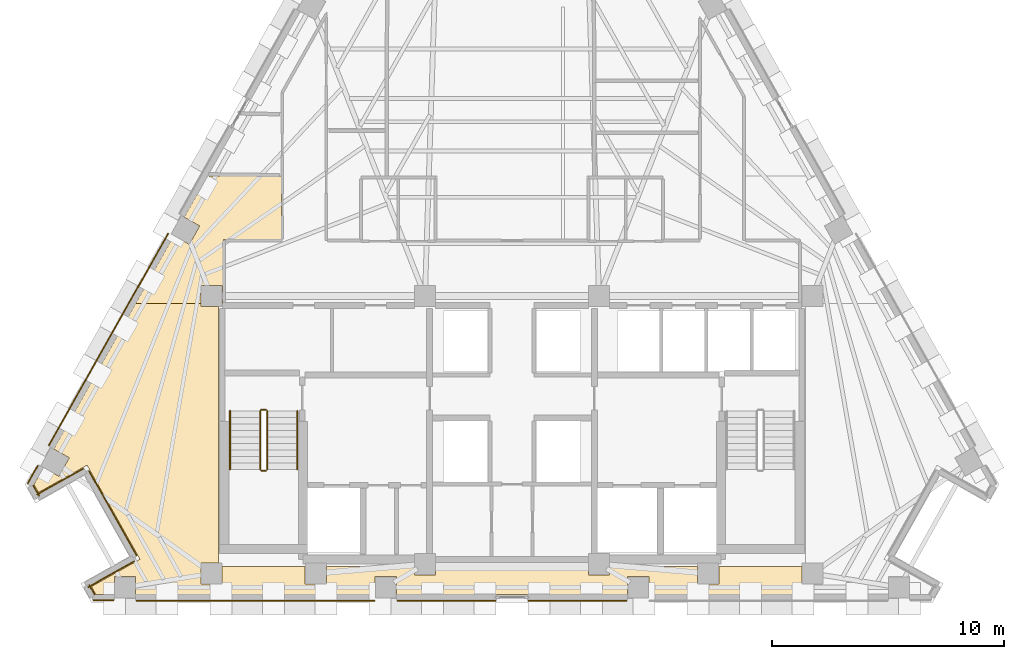
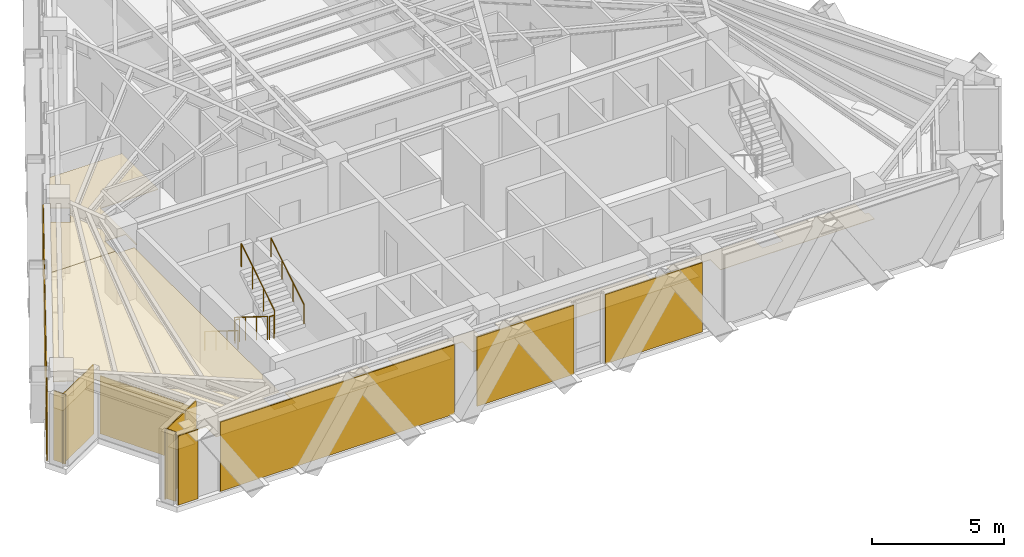
# One storey, part 10 of 12: 14 coverings, 6 railings.
"""IFC4 building model written with IfcOpenShell, lengths in metres."""

from ifc_helpers import new_model, si_unit, direction, frame, origin, origin_2d, place, context, subcontext, project, spatial, polyline, circle, outline, extrude, material, layer, layer_set, type_object, element, save


model = new_model("IFC4")

# Units and contexts
model_context = context("Model", 3, precision=1e-05, world=origin(), true_north=direction((0.0, 1.0)))
body_context = subcontext(model_context, "Body", "Model", "MODEL_VIEW")
ifc_project = project(units=[si_unit("LENGTHUNIT", "METRE"), si_unit("AREAUNIT", "SQUARE_METRE"), si_unit("VOLUMEUNIT", "CUBIC_METRE"), si_unit("PLANEANGLEUNIT", "RADIAN"), si_unit("MASSUNIT", "GRAM", prefix="KILO")], contexts=[model_context])

# Site, building, storey
site_placement = place(None, origin())
site = spatial("IfcSite", under=ifc_project, at=site_placement, CompositionType="ELEMENT")
building_placement = place(site_placement, origin())
building = spatial("IfcBuilding", under=site, at=building_placement, Name="Quenlor Broadcast Tower", CompositionType="ELEMENT")
storey_placement = place(building_placement, frame((0.0, 0.0, 186.89990234375)))
storey = spatial("IfcBuildingStorey", under=building, at=storey_placement, Name="L51", CompositionType="ELEMENT", Elevation=186.89990234375)

# Coverings
ifc_material_1 = material(Name="Acoustic Mineral Fibre Board", Category="other")
ifc_layer_1 = layer(ifc_material_1, 0.02490234375)
ifc_layer_set_1 = layer_set([ifc_layer_1], Name="Acoustic Perforated Mineral Tile Ceiling 25")
covering_type_1 = type_object("IfcCoveringType", Name="Acoustic Perforated Mineral Tile Ceiling 25", PredefinedType="CEILING", material=ifc_layer_set_1)
covering_1_placement = place(storey_placement, frame((0.0, 0.0, 2.375)))
element("IfcCovering", 1, at=covering_1_placement, inside=storey, type_object=covering_type_1, Name="L51 Acoustic Ceiling L51-38", PredefinedType="CEILING", context=body_context, shape_type="SweptSolid", body=[
    extrude(outline(polyline([(-14.572021484375, -2.199462890625), (-13.90283203125, -2.575927734375), (-13.45361328125, -1.777587890625), (-14.123046875, -1.401123046875), (-13.129638671875, 0.36474609375), (-9.929931640625, 0.36474609375), (-9.929931640625, -2.3701171875), (-12.43994140625, -2.3701171875), (-12.43994140625, -5.1201171875), (-12.491943359375, -5.1201171875), (-12.491943359375, -4.342041015625), (-13.407958984375, -4.342041015625), (-13.407958984375, -5.1201171875), (-16.21484375, -5.1201171875), (-14.572021484375, -2.199462890625)])), origin(), (0.0, 0.0, 1.0), 0.025146484375),
])
covering_2_placement = place(storey_placement, frame((0.0, 0.0, 2.375)))
element("IfcCovering", 2, at=covering_2_placement, inside=storey, type_object=covering_type_1, Name="L51 Acoustic Ceiling L51-38-3", PredefinedType="CEILING", context=body_context, shape_type="SweptSolid", body=[
    extrude(outline(polyline([(-20.597900390625, -12.912109375), (-20.191162109375, -12.18896484375), (-19.52197265625, -12.5654296875), (-19.07275390625, -11.76708984375), (-19.7421875, -11.390625), (-16.21484375, -5.1201171875), (-13.407958984375, -5.1201171875), (-13.407958984375, -5.258056640625), (-12.64990234375, -5.258056640625), (-12.64990234375, -16.2919921875), (-13.407958984375, -16.2919921875), (-13.407958984375, -17.2080078125), (-12.64990234375, -17.2080078125), (-12.64990234375, -17.659912109375), (-16.218017578125, -17.659912109375), (-16.218017578125, -16.89208984375), (-17.1337890625, -16.89208984375), (-17.1337890625, -17.659912109375), (-17.927001953125, -17.659912109375), (-18.120849609375, -17.315673828125), (-16.029052734375, -16.138916015625), (-18.30859375, -12.08642578125), (-20.400390625, -13.26318359375), (-20.597900390625, -12.912109375)])), origin(), (0.0, 0.0, 1.0), 0.025146484375),
])
covering_3_placement = place(storey_placement, frame((0.0, 0.0, 2.375)))
element("IfcCovering", 3, at=covering_3_placement, inside=storey, type_object=covering_type_1, Name="L51 Acoustic Ceiling L51-38-5", PredefinedType="CEILING", context=body_context, shape_type="SweptSolid", body=[
    extrude(outline(polyline([(-12.491943359375, -17.2080078125), (-12.491943359375, -16.449951171875), (-8.907958984375, -16.449951171875), (-8.907958984375, -17.2080078125), (-7.991943359375, -17.2080078125), (-7.991943359375, -16.449951171875), (-4.2080078125, -16.449951171875), (-4.2080078125, -16.80810546875), (-3.2919921875, -16.80810546875), (-3.2919921875, -16.449951171875), (3.2919921875, -16.449951171875), (3.2919921875, -16.80810546875), (4.2080078125, -16.80810546875), (4.2080078125, -16.449951171875), (7.991943359375, -16.449951171875), (7.991943359375, -17.2080078125), (8.907958984375, -17.2080078125), (8.907958984375, -16.449951171875), (12.491943359375, -16.449951171875), (12.491943359375, -17.2080078125), (12.64990234375, -17.2080078125), (12.64990234375, -17.659912109375), (5.895751953125, -17.659912109375), (5.895751953125, -16.89208984375), (4.979736328125, -16.89208984375), (4.979736328125, -17.659912109375), (-4.979736328125, -17.659912109375), (-4.979736328125, -16.89208984375), (-5.895751953125, -16.89208984375), (-5.895751953125, -17.659912109375), (-12.64990234375, -17.659912109375), (-12.64990234375, -17.2080078125), (-12.491943359375, -17.2080078125)])), origin(), (0.0, 0.0, 1.0), 0.025146484375),
])
ifc_material_2 = material(Name="Architectural Terracotta Ceramic", Category="masonry")
ifc_layer_2 = layer(ifc_material_2, 0.044921875)
ifc_layer_set_2 = layer_set([ifc_layer_2], Name="Fluted Terracotta Rainscreen Cladding Panel")
covering_type_2 = type_object("IfcCoveringType", Name="Fluted Terracotta Rainscreen Cladding Panel", PredefinedType="CLADDING", material=ifc_layer_set_2)
covering_4_placement = place(storey_placement, frame((0.0, 0.0, 0.02001953125)))
element("IfcCovering", 4, at=covering_4_placement, inside=storey, type_object=covering_type_2, Name="L51 Terracotta Rainscreen Cladding L51-SHD-SS1", PredefinedType="CLADDING", context=body_context, shape_type="SweptSolid", body=[
    extrude(outline(polyline([(-17.160888671875, -17.886962890625), (-18.035888671875, -17.886962890625), (-18.035888671875, -17.931884765625), (-17.160888671875, -17.931884765625), (-17.160888671875, -17.886962890625)])), origin(), (0.0, 0.0, 1.0), 3.2099609375),
])
covering_5_placement = place(storey_placement, frame((0.0, 0.0, 0.02001953125)))
element("IfcCovering", 5, at=covering_5_placement, inside=storey, type_object=covering_type_2, Name="L51 Terracotta Rainscreen Cladding L51-EW-SC", PredefinedType="CLADDING", context=body_context, shape_type="SweptSolid", body=[
    extrude(outline(polyline([(-5.9228515625, -17.89697265625), (-16.19091796875, -17.89697265625), (-16.19091796875, -17.94189453125), (-5.9228515625, -17.94189453125), (-5.9228515625, -17.89697265625)])), origin(), (0.0, 0.0, 1.0), 3.2099609375),
])
covering_6_placement = place(storey_placement, frame((0.0, 0.0, 0.02001953125)))
element("IfcCovering", 6, at=covering_6_placement, inside=storey, type_object=covering_type_2, Name="L51 Terracotta Rainscreen Cladding L51-S-SP1", PredefinedType="CLADDING", context=body_context, shape_type="SweptSolid", body=[
    extrude(outline(polyline([(4.937744140625, -17.89697265625), (0.6923828125, -17.89697265625), (0.6923828125, -17.94189453125), (4.937744140625, -17.94189453125), (4.937744140625, -17.89697265625)])), origin(), (0.0, 0.0, 1.0), 3.2099609375),
])
covering_7_placement = place(storey_placement, frame((0.0, 0.0, 0.02001953125)))
element("IfcCovering", 7, at=covering_7_placement, inside=storey, type_object=covering_type_2, Name="L51 Terracotta Rainscreen Cladding L51-S-SP2", PredefinedType="CLADDING", context=body_context, shape_type="SweptSolid", body=[
    extrude(outline(polyline([(-0.6923828125, -17.89697265625), (-4.937744140625, -17.89697265625), (-4.937744140625, -17.94189453125), (-0.6923828125, -17.94189453125), (-0.6923828125, -17.89697265625)])), origin(), (0.0, 0.0, 1.0), 3.2099609375),
])
covering_8_placement = place(storey_placement, frame((0.0, 0.0, 0.02001953125)))
element("IfcCovering", 8, at=covering_8_placement, inside=storey, type_object=covering_type_2, Name="L51 Terracotta Rainscreen Cladding L51-SHD-NWS0", PredefinedType="CLADDING", context=body_context, shape_type="SweptSolid", body=[
    extrude(outline(polyline([(-20.845458984375, -12.888916015625), (-20.402099609375, -12.10107421875), (-20.44140625, -12.0791015625), (-20.884521484375, -12.866943359375), (-20.845458984375, -12.888916015625)])), origin(), (0.0, 0.0, 1.0), 3.2099609375),
])
covering_9_placement = place(storey_placement, frame((0.0, 0.0, 0.02001953125)))
element("IfcCovering", 9, at=covering_9_placement, inside=storey, type_object=covering_type_2, Name="L51 Terracotta Rainscreen Cladding L51-EW-NWA", PredefinedType="CLADDING", context=body_context, shape_type="SweptSolid", body=[
    extrude(outline(polyline([(-19.935302734375, -11.250732421875), (-14.7919921875, -2.106689453125), (-14.831298828125, -2.084716796875), (-19.974609375, -11.228759765625), (-19.935302734375, -11.250732421875)])), origin(), (0.0, 0.0, 1.0), 3.2099609375),
])
covering_10_placement = place(storey_placement, frame((0.0, 0.0, 0.02001953125)))
element("IfcCovering", 10, at=covering_10_placement, inside=storey, type_object=covering_type_2, Name="L51 Terracotta Rainscreen Cladding L51-CNR-12", PredefinedType="CLADDING", context=body_context, shape_type="SweptSolid", body=[
    extrude(outline(polyline([(-20.64306640625, -12.970458984375), (-20.38623046875, -13.427001953125), (-20.346923828125, -13.405029296875), (-20.60400390625, -12.948486328125), (-20.64306640625, -12.970458984375)])), origin(), (0.0, 0.0, 1.0), 3.2099609375),
])
covering_11_placement = place(storey_placement, frame((0.0, 0.0, 0.02001953125)))
element("IfcCovering", 11, at=covering_11_placement, inside=storey, type_object=covering_type_2, Name="L51 Terracotta Rainscreen Cladding L51-CNR-13", PredefinedType="CLADDING", context=body_context, shape_type="SweptSolid", body=[
    extrude(outline(polyline([(-20.462890625, -13.376220703125), (-18.45849609375, -12.248779296875), (-18.48046875, -12.20947265625), (-20.485107421875, -13.337158203125), (-20.462890625, -13.376220703125)])), origin(), (0.0, 0.0, 1.0), 3.2099609375),
])
covering_12_placement = place(storey_placement, frame((0.0, 0.0, 0.02001953125)))
element("IfcCovering", 12, at=covering_12_placement, inside=storey, type_object=covering_type_2, Name="L51 Terracotta Rainscreen Cladding L51-CNR-14", PredefinedType="CLADDING", context=body_context, shape_type="SweptSolid", body=[
    extrude(outline(polyline([(-18.245361328125, -12.337646484375), (-16.19140625, -15.9892578125), (-16.152099609375, -15.96728515625), (-18.206298828125, -12.315673828125), (-18.245361328125, -12.337646484375)])), origin(), (0.0, 0.0, 1.0), 2.681884765625),
])
covering_13_placement = place(storey_placement, frame((0.0, 0.0, 0.02001953125)))
element("IfcCovering", 13, at=covering_13_placement, inside=storey, type_object=covering_type_2, Name="L51 Terracotta Rainscreen Cladding L51-CNR-15", PredefinedType="CLADDING", context=body_context, shape_type="SweptSolid", body=[
    extrude(outline(polyline([(-16.2802734375, -16.2021484375), (-18.284912109375, -17.329833984375), (-18.262939453125, -17.368896484375), (-16.25830078125, -16.241455078125), (-16.2802734375, -16.2021484375)])), origin(), (0.0, 0.0, 1.0), 3.2099609375),
])
covering_14_placement = place(storey_placement, frame((0.0, 0.0, 0.02001953125)))
element("IfcCovering", 14, at=covering_14_placement, inside=storey, type_object=covering_type_2, Name="L51 Terracotta Rainscreen Cladding L51-CNR-16", PredefinedType="CLADDING", context=body_context, shape_type="SweptSolid", body=[
    extrude(outline(polyline([(-18.234130859375, -17.2529296875), (-17.99853515625, -17.671875), (-17.959228515625, -17.64990234375), (-18.19482421875, -17.23095703125), (-18.234130859375, -17.2529296875)])), origin(), (0.0, 0.0, 1.0), 3.2099609375),
])

# Railings
ifc_material_3 = material(Name="Anodised Aluminium", Category="aluminium")
railing_type_1 = type_object("IfcRailingType", Name="Stainless Aluminium Wall Handrail 900", PredefinedType="HANDRAIL", material=ifc_material_3)
railing_1_placement = place(storey_placement, frame((-12.14990234375, -9.75, 0.175048828125)))
element("IfcRailing", 15, at=railing_1_placement, inside=storey, type_object=railing_type_1, Name="L51 ST-1 stair handrail 1", PredefinedType="HANDRAIL", context=body_context, shape_type="SweptSolid", body=[
    extrude(circle(Radius=0.02392578125, at=origin_2d()), frame((0.0, 0.0, 0.8759765625), z_axis=(0.0, -0.848007534815, 0.529984170421), x_axis=(1.0, 0.0, 0.0)), (0.0, 0.0, 1.0), 2.9716796875),
    extrude(circle(Radius=0.02099609375, at=origin_2d()), origin(), (0.0, 0.0, 1.0), 0.851806640625),
    extrude(circle(Radius=0.02099609375, at=origin_2d()), frame((0.0, -0.840087890625, 0.52490234375)), (0.0, 0.0, 1.0), 0.851806640625),
    extrude(circle(Radius=0.02099609375, at=origin_2d()), frame((0.0, -1.679931640625, 1.050048828125)), (0.0, 0.0, 1.0), 0.851806640625),
    extrude(circle(Radius=0.02099609375, at=origin_2d()), frame((0.0, -2.52001953125, 1.574951171875)), (0.0, 0.0, 1.0), 0.851806640625),
])
railing_2_placement = place(storey_placement, frame((-9.25, -12.27001953125, 1.925048828125)))
element("IfcRailing", 16, at=railing_2_placement, inside=storey, type_object=railing_type_1, Name="L51 ST-1 stair handrail 2", PredefinedType="HANDRAIL", context=body_context, shape_type="SweptSolid", body=[
    extrude(circle(Radius=0.02392578125, at=origin_2d()), frame((0.0, 0.0, 0.8759765625), z_axis=(0.0, 0.848007534815, 0.529984170421), x_axis=(-1.0, 0.0, 0.0)), (0.0, 0.0, 1.0), 2.9716796875),
    extrude(circle(Radius=0.02099609375, at=origin_2d()), origin(), (0.0, 0.0, 1.0), 0.851806640625),
    extrude(circle(Radius=0.02099609375, at=origin_2d()), frame((0.0, 0.840087890625, 0.52490234375)), (0.0, 0.0, 1.0), 0.851806640625),
    extrude(circle(Radius=0.02099609375, at=origin_2d()), frame((0.0, 1.679931640625, 1.050048828125)), (0.0, 0.0, 1.0), 0.851806640625),
    extrude(circle(Radius=0.02099609375, at=origin_2d()), frame((0.0, 2.52001953125, 1.574951171875)), (0.0, 0.0, 1.0), 0.851806640625),
])
ifc_material_4 = material(Name="Steel S355", Category="steel")
railing_type_2 = type_object("IfcRailingType", Name="Tubular Steel S355 Stair Guardrail 1100", PredefinedType="BALUSTRADE", material=ifc_material_4)
railing_3_placement = place(storey_placement, frame((-10.85009765625, -9.75, 0.175048828125)))
element("IfcRailing", 17, at=railing_3_placement, inside=storey, type_object=railing_type_2, Name="L51 ST-1 stair guard 1", PredefinedType="BALUSTRADE", context=body_context, shape_type="SweptSolid", body=[
    extrude(circle(Radius=0.02392578125, at=origin_2d()), frame((0.0, 0.0, 1.076171875), z_axis=(0.0, -0.848007534815, 0.529984170421), x_axis=(1.0, 0.0, 0.0)), (0.0, 0.0, 1.0), 2.9716796875),
    extrude(circle(Radius=0.02099609375, at=origin_2d()), origin(), (0.0, 0.0, 1.0), 1.052001953125),
    extrude(circle(Radius=0.02099609375, at=origin_2d()), frame((0.0, -0.840087890625, 0.52490234375)), (0.0, 0.0, 1.0), 1.052001953125),
    extrude(circle(Radius=0.02099609375, at=origin_2d()), frame((0.0, -1.679931640625, 1.050048828125)), (0.0, 0.0, 1.0), 1.052001953125),
    extrude(circle(Radius=0.02099609375, at=origin_2d()), frame((0.0, -2.52001953125, 1.574951171875)), (0.0, 0.0, 1.0), 1.052001953125),
])
railing_4_placement = place(storey_placement, frame((-10.800048828125, -12.320068359375, 1.75)))
element("IfcRailing", 18, at=railing_4_placement, inside=storey, type_object=railing_type_2, Name="L51 ST-1 stair guard 2", PredefinedType="BALUSTRADE", context=body_context, shape_type="SweptSolid", body=[
    extrude(circle(Radius=0.02392578125, at=origin_2d()), frame((0.0, 0.0, 1.076171875), z_axis=(1.0, 0.0, 0.0), x_axis=(0.0, 1.0, 0.0)), (0.0, 0.0, 1.0), 0.199951171875),
    extrude(circle(Radius=0.02099609375, at=origin_2d()), origin(), (0.0, 0.0, 1.0), 1.052001953125),
    extrude(circle(Radius=0.02099609375, at=origin_2d()), frame((0.199951171875, 0.0, 0.0)), (0.0, 0.0, 1.0), 1.052001953125),
])
railing_5_placement = place(storey_placement, frame((-10.550048828125, -12.27001953125, 1.925048828125)))
element("IfcRailing", 19, at=railing_5_placement, inside=storey, type_object=railing_type_2, Name="L51 ST-1 stair guard 3", PredefinedType="BALUSTRADE", context=body_context, shape_type="SweptSolid", body=[
    extrude(circle(Radius=0.02392578125, at=origin_2d()), frame((0.0, 0.0, 1.076171875), z_axis=(0.0, 0.848007534815, 0.529984170421), x_axis=(-1.0, 0.0, 0.0)), (0.0, 0.0, 1.0), 2.9716796875),
    extrude(circle(Radius=0.02099609375, at=origin_2d()), origin(), (0.0, 0.0, 1.0), 1.052001953125),
    extrude(circle(Radius=0.02099609375, at=origin_2d()), frame((0.0, 0.840087890625, 0.52490234375)), (0.0, 0.0, 1.0), 1.052001953125),
    extrude(circle(Radius=0.02099609375, at=origin_2d()), frame((0.0, 1.679931640625, 1.050048828125)), (0.0, 0.0, 1.0), 1.052001953125),
    extrude(circle(Radius=0.02099609375, at=origin_2d()), frame((0.0, 2.52001953125, 1.574951171875)), (0.0, 0.0, 1.0), 1.052001953125),
])
railing_6_placement = place(storey_placement, frame((-10.800048828125, -9.699951171875, 0.0)))
element("IfcRailing", 20, at=railing_6_placement, inside=storey, type_object=railing_type_2, Name="L51 ST-1 stair guard 4", PredefinedType="BALUSTRADE", context=body_context, shape_type="SweptSolid", body=[
    extrude(circle(Radius=0.02392578125, at=origin_2d()), frame((0.0, 0.0, 1.076171875), z_axis=(1.0, 0.0, 0.0), x_axis=(0.0, 1.0, 0.0)), (0.0, 0.0, 1.0), 0.199951171875),
    extrude(circle(Radius=0.02099609375, at=origin_2d()), origin(), (0.0, 0.0, 1.0), 1.052001953125),
    extrude(circle(Radius=0.02099609375, at=origin_2d()), frame((0.199951171875, 0.0, 0.0)), (0.0, 0.0, 1.0), 1.052001953125),
])

save(model, "model.ifc")
